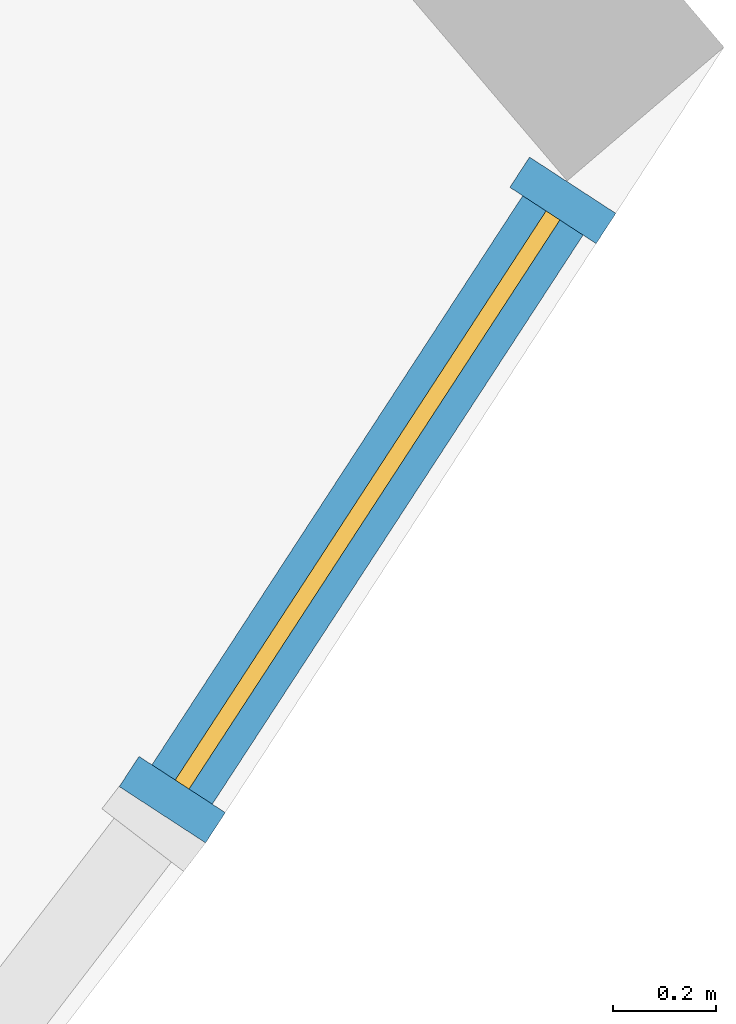
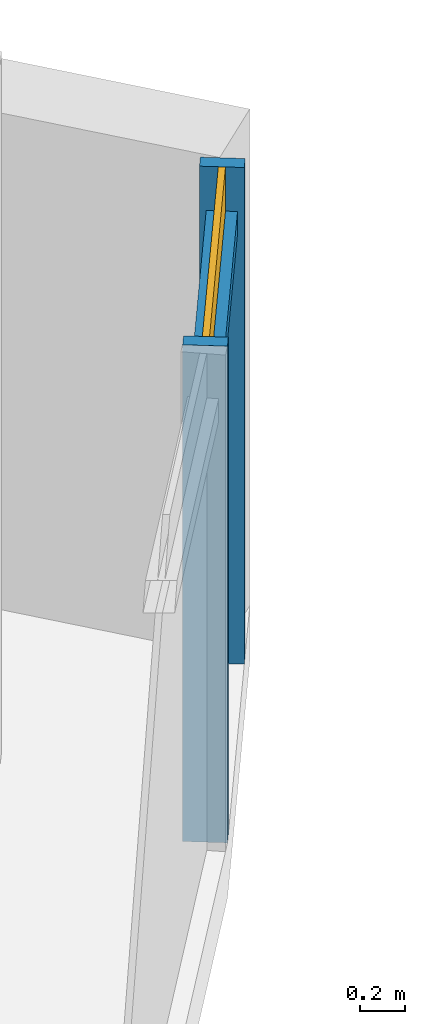
# One storey, part 23 of 29: 3 members, 1 curtain wall.
"""IFC4 building model written with IfcOpenShell, lengths in metres."""

from ifc_helpers import new_model, si_unit, direction, frame, origin, origin_2d, place, context, subcontext, project, spatial, rectangle, extrude, material, material_profile, profile_set, type_object, element, aggregate, save


model = new_model("IFC4")

# Units and contexts
model_context = context("Model", 3, precision=1e-05, world=origin(), true_north=direction((0.0, 1.0)))
body_context = subcontext(model_context, "Body", "Model", "MODEL_VIEW")
ifc_project = project(units=[si_unit("LENGTHUNIT", "METRE"), si_unit("AREAUNIT", "SQUARE_METRE"), si_unit("VOLUMEUNIT", "CUBIC_METRE"), si_unit("PLANEANGLEUNIT", "RADIAN"), si_unit("MASSUNIT", "GRAM", prefix="KILO")], contexts=[model_context])

# Member
ifc_material = material(Name="Aluminium 6063-T6 anodised", Category="aluminium")
ifc_material_profile_1 = material_profile(ifc_material, rectangle(XDim=0.199951171875, YDim=0.070068359375, at=origin_2d()))
ifc_profile_set_1 = profile_set([ifc_material_profile_1], Name="Aluminium 6063-T6 anodised")
member_type_1 = type_object("IfcMemberType", Name="Mullion 70 x 200 aluminium", PredefinedType="MULLION", material=ifc_profile_set_1)
site_placement = place(None, origin())
building_placement = place(site_placement, origin())
storey_placement = place(building_placement, frame((0.0, 0.0, 44.300048828125)))
member_1_placement = place(storey_placement, frame((66.161865234375, -44.167236328125, 0.0), z_axis=(0.0, 0.0, 1.0), x_axis=(-0.83784444888, 0.545909039567, 0.0)))
member_1 = element("IfcMember", 1, at=member_1_placement, type_object=member_type_1, Name="e-cw1-L07-out16/M00", PredefinedType="MULLION", context=body_context, shape_type="SweptSolid", body=[
    extrude(rectangle(XDim=0.199951171875, YDim=0.070068359375, at=origin_2d()), origin(), (0.0, 0.0, 1.0), 2.699951171875),
])

member_2_placement = place(storey_placement, frame((66.920166015625, -43.003662109375, 0.0), z_axis=(0.0, 0.0, 1.0), x_axis=(-0.83784444888, 0.545909039567, 0.0)))
member_2 = element("IfcMember", 2, at=member_2_placement, type_object=member_type_1, Name="e-cw1-L07-out16/M01", PredefinedType="MULLION", context=body_context, shape_type="SweptSolid", body=[
    extrude(rectangle(XDim=0.199951171875, YDim=0.070068359375, at=origin_2d()), origin(), (0.0, 0.0, 1.0), 2.699951171875),
])

ifc_material_profile_2 = material_profile(ifc_material, rectangle(XDim=0.139892578125, YDim=0.1201171875, at=origin_2d()))
ifc_profile_set_2 = profile_set([ifc_material_profile_2], Name="Aluminium 6063-T6 anodised")
member_type_2 = type_object("IfcMemberType", Name="Transom 120 x 140 aluminium", PredefinedType="USERDEFINED", material=ifc_profile_set_2)
member_3_placement = place(storey_placement, frame((66.180908203125, -44.137939453125, 2.39990234375), z_axis=(0.54591198129, 0.837842532153, 0.0), x_axis=(-0.837842532153, 0.54591198129, 0.0)))
member_3 = element("IfcMember", 3, at=member_3_placement, type_object=member_type_2, Name="e-cw1-L07-out16/T00", ObjectType="TRANSOM", PredefinedType="USERDEFINED", context=body_context, shape_type="SweptSolid", body=[
    extrude(rectangle(XDim=0.139892578125, YDim=0.1201171875, at=origin_2d()), origin(), (0.0, 0.0, 1.0), 1.31884765625),
])

# Site, building, storey
site = spatial("IfcSite", under=ifc_project, at=site_placement, CompositionType="ELEMENT")
building = spatial("IfcBuilding", under=site, at=building_placement, Name="Qamariyya Broadcast Tower", CompositionType="ELEMENT")
storey = spatial("IfcBuildingStorey", under=building, at=storey_placement, Name="L07", CompositionType="ELEMENT", Elevation=44.300048828125)

# Curtain wall
curtain_wall_type = type_object("IfcCurtainWallType", Name="Unitised curtain wall, anodised aluminium", PredefinedType="NOTDEFINED", material=ifc_material)
curtain_wall_placement = place(storey_placement, origin())
curtain_wall = element("IfcCurtainWall", 4, at=curtain_wall_placement, inside=storey, type_object=curtain_wall_type, Name="e-cw1-L07-out16", PredefinedType="NOTDEFINED", context=body_context, shape_type="SweptSolid", body=[
    extrude(rectangle(XDim=1.31884765625, YDim=0.031982421875, at=origin_2d()), frame((66.541015625, -43.58544921875, 0.0), x_axis=(0.545941002059, 0.837823622412, 0.0)), (0.0, 0.0, 1.0), 2.340087890625),
    extrude(rectangle(XDim=1.31884765625, YDim=0.031982421875, at=origin_2d()), frame((66.541015625, -43.58544921875, 2.4599609375), x_axis=(0.545941002059, 0.837823622412, 0.0)), (0.0, 0.0, 1.0), 0.239990234375),
])

aggregate(curtain_wall, [member_1, member_2, member_3])

save(model, "model.ifc")
